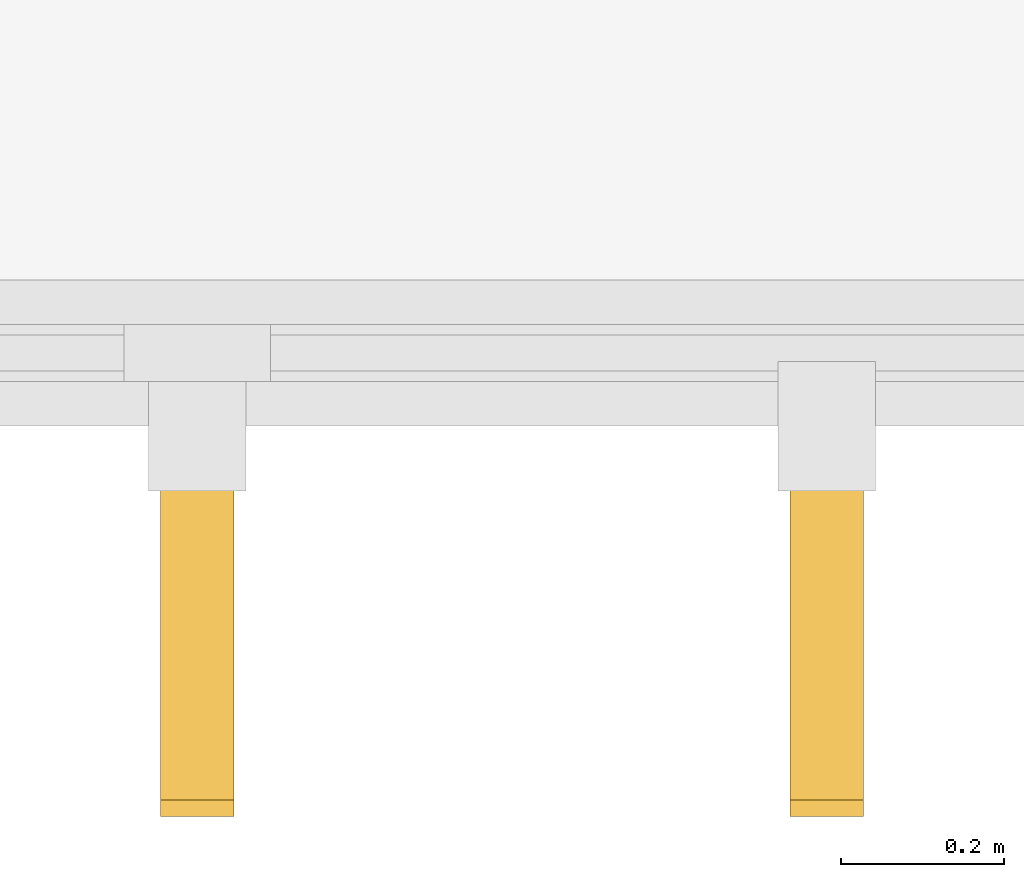
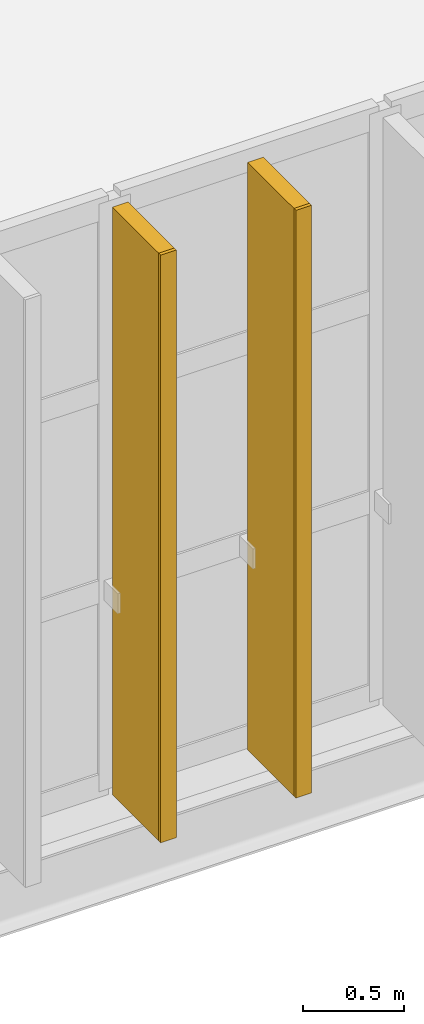
# One storey, part 29 of 38: 2 coverings, 2 shading devices.
"""IFC4 building model written with IfcOpenShell, lengths in metres."""

from ifc_helpers import new_model, si_unit, direction, frame, origin, origin_2d, place, context, subcontext, project, spatial, rectangle, extrude, material, layer, layer_set, type_object, element, save


model = new_model("IFC4")

# Units and contexts
model_context = context("Model", 3, precision=1e-05, world=origin(), true_north=direction((0.0, 1.0)))
body_context = subcontext(model_context, "Body", "Model", "MODEL_VIEW")
ifc_project = project(units=[si_unit("LENGTHUNIT", "METRE"), si_unit("AREAUNIT", "SQUARE_METRE"), si_unit("VOLUMEUNIT", "CUBIC_METRE"), si_unit("PLANEANGLEUNIT", "RADIAN"), si_unit("MASSUNIT", "GRAM", prefix="KILO")], contexts=[model_context])

# Site, building, storey
site_placement = place(None, origin())
site = spatial("IfcSite", under=ifc_project, at=site_placement, CompositionType="ELEMENT")
building_placement = place(site_placement, origin())
building = spatial("IfcBuilding", under=site, at=building_placement, Name="Zarnetskaya Central Station", CompositionType="ELEMENT")
storey_placement = place(building_placement, frame((0.0, 0.0, 18.60009765625)))
storey = spatial("IfcBuildingStorey", under=building, at=storey_placement, Name="L04", CompositionType="ELEMENT", Elevation=18.60009765625)

# Coverings
ifc_material_1 = material(Name="Treated larch timber", Category="wood")
ifc_layer = layer(ifc_material_1, 0.02001953125, Name="Treated larch timber", Category="wood")
ifc_layer_set = layer_set([ifc_layer], Name="Treated larch timber")
covering_type = type_object("IfcCoveringType", Name="COV-LARCH-CAP", PredefinedType="CLADDING", material=ifc_layer_set)
for number, where, z_axis, x_axis, name in (
    (1, (31.27490234375, -0.56005859375, -0.000244140625), (0.0, 0.0, 1.0), (-1.0, 0.0, 0.0), "Larch fin weather cap CW-L04-059-09"),
    (2, (30.5, -0.56005859375, -0.000244140625), (0.0, 0.0, 1.0), (-1.0, 0.0, 0.0), "Larch fin weather cap CW-L04-059-10"),
):
    element("IfcCovering", number, at=place(storey_placement, frame(where, z_axis=z_axis, x_axis=x_axis)), inside=storey, type_object=covering_type, Name=name, PredefinedType="CLADDING", context=body_context, shape_type="SweptSolid", body=[
        extrude(rectangle(XDim=0.090087890625, YDim=0.02001953125, at=origin_2d()), origin(), (0.0, 0.0, 1.0), 3.56005859375),
    ])

# Shading devices
ifc_material_2 = material(Name="Larch glulam GL28h", Category="wood")
shading_device_type = type_object("IfcShadingDeviceType", Name="SHD-LARCH-FIN-A", PredefinedType="USERDEFINED", material=ifc_material_2)
for number, where, z_axis, x_axis, name in (
    (3, (31.27490234375, -0.320068359375, -0.000244140625), (0.0, 0.0, 1.0), (-1.0, 0.0, 0.0), "Vertical larch timber fin CW-L04-059-09"),
    (4, (30.5, -0.320068359375, -0.000244140625), (0.0, 0.0, 1.0), (-1.0, 0.0, 0.0), "Vertical larch timber fin CW-L04-059-10"),
):
    element("IfcShadingDevice", number, at=place(storey_placement, frame(where, z_axis=z_axis, x_axis=x_axis)), inside=storey, type_object=shading_device_type, Name=name, ObjectType="TIMBER FIN", PredefinedType="USERDEFINED", context=body_context, shape_type="SweptSolid", body=[
        extrude(rectangle(XDim=0.090087890625, YDim=0.4599609375, at=origin_2d()), origin(), (0.0, 0.0, 1.0), 3.56005859375),
    ])

save(model, "model.ifc")
